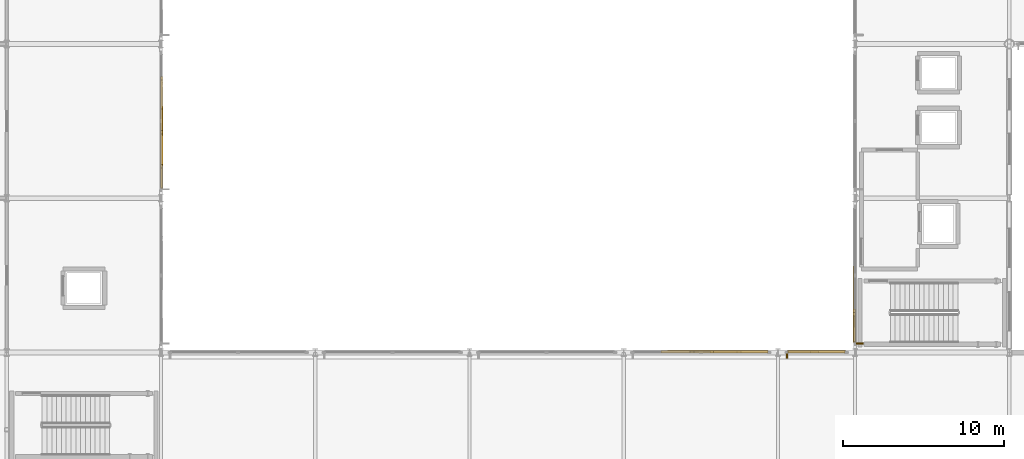
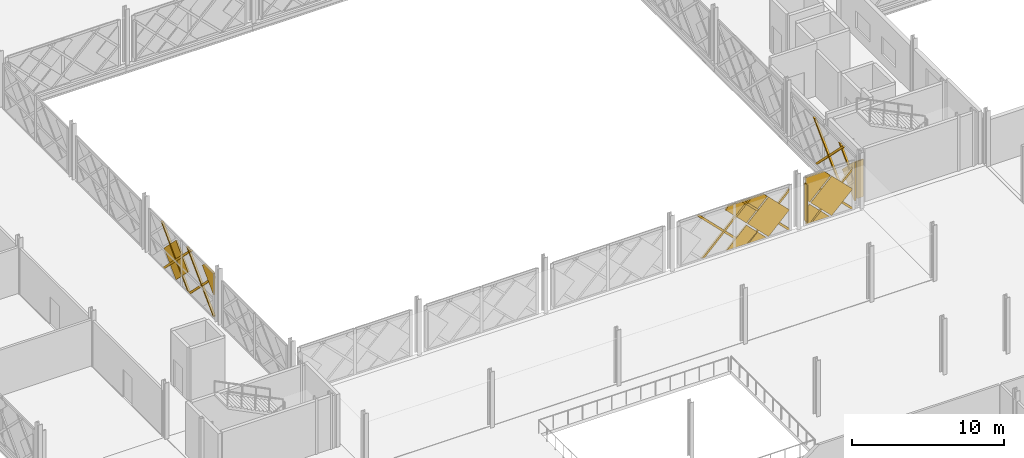
# One storey, part 84 of 101: 23 coverings, 2 shading devices.
"""IFC4 building model written with IfcOpenShell, lengths in metres."""

from ifc_helpers import new_model, si_unit, direction, frame, origin, origin_2d, place, context, subcontext, project, spatial, polyline, rectangle, outline, extrude, material, layer, layer_set, type_object, element, save


model = new_model("IFC4")

# Units and contexts
model_context = context("Model", 3, precision=1e-05, world=origin(), true_north=direction((0.0, 1.0)))
body_context = subcontext(model_context, "Body", "Model", "MODEL_VIEW")
ifc_project = project(units=[si_unit("LENGTHUNIT", "METRE"), si_unit("AREAUNIT", "SQUARE_METRE"), si_unit("VOLUMEUNIT", "CUBIC_METRE"), si_unit("PLANEANGLEUNIT", "RADIAN"), si_unit("MASSUNIT", "GRAM", prefix="KILO")], contexts=[model_context])

# Site, building, storey
site_placement = place(None, origin())
site = spatial("IfcSite", under=ifc_project, at=site_placement, CompositionType="ELEMENT")
building_placement = place(site_placement, origin())
building = spatial("IfcBuilding", under=site, at=building_placement, Name="Zevrakil Square Congress Hotel", CompositionType="ELEMENT")
storey_placement = place(building_placement, frame((0.0, 0.0, 5.39990234375)))
storey = spatial("IfcBuildingStorey", under=building, at=storey_placement, Name="L02", CompositionType="ELEMENT", Elevation=5.39990234375)

# Coverings
ifc_material_1 = material(Name="Architectural White Fibre-C GRC", Category="concrete")
ifc_layer_1 = layer(ifc_material_1, 0.06494140625)
ifc_layer_set_1 = layer_set([ifc_layer_1], Name="Architectural White Fibre-C GRC")
covering_type_1 = type_object("IfcCoveringType", Name="COV-DIA-WHITE", PredefinedType="CLADDING", material=ifc_layer_set_1)
covering_1_placement = place(storey_placement, frame((99.320068359375, 45.694091796875, 1.590087890625), z_axis=(0.0, 0.999999790873, 0.000646725815), x_axis=(-0.707106707249, 0.000457304257, -0.707106707249)))
element("IfcCovering", 1, at=covering_1_placement, inside=storey, type_object=covering_type_1, Name="L02 45-degree white GRC diamond facade cassette 1639", PredefinedType="CLADDING", context=body_context, shape_type="SweptSolid", body=[
    extrude(outline(polyline([(0.0, 0.0), (2.1354765131557993, 0.0), (4.465861884739297e-07, -2.1354765131557527), (0.0, 0.0)])), origin(), (0.0, 0.0, -1.0), 0.1201171875),
])
covering_2_placement = place(storey_placement, frame((101.0, 45.693115234375, 3.27001953125), z_axis=(-2.41659e-07, 0.999999856488, 0.000535746851), x_axis=(-0.70716100192, 0.000378630288, -0.707052454916)))
element("IfcCovering", 2, at=covering_2_placement, inside=storey, type_object=covering_type_1, Name="L02 45-degree white GRC diamond facade cassette 1640", PredefinedType="CLADDING", context=body_context, shape_type="SweptSolid", body=[
    extrude(outline(polyline([(0.0, 0.0), (2.248551442001582, 2.220446049250313e-16), (2.248379120041563, -2.2487239697677768), (0.01381109549741355, -2.248552500098768), (-0.0003437632191625184, -2.2343954703555884), (0.0, 0.0)])), origin(), (0.0, 0.0, -1.0), 0.1201171875),
])
covering_3_placement = place(storey_placement, frame((97.72998046875, 45.693115234375, 3.360107421875), z_axis=(0.0, 0.999999832179, 0.000579346068), x_axis=(0.707106746172, 0.000409659554, -0.707106697534)))
element("IfcCovering", 3, at=covering_3_placement, inside=storey, type_object=covering_type_1, Name="L02 45-degree white GRC diamond facade cassette 1642", PredefinedType="CLADDING", context=body_context, shape_type="SweptSolid", body=[
    extrude(outline(polyline([(0.0, 0.0), (2.2487239716392238, 0.0), (2.2485511154520332, -2.2485513381391633), (1.9022482605456785, -2.2485513919470725), (0.00017254537865349362, -0.34647548840639664), (0.0, 0.0)])), origin(), (0.0, 0.0, -1.0), 0.1201171875),
])
covering_4_placement = place(storey_placement, frame((104.1201171875, 45.694091796875, 1.590087890625), z_axis=(-9.4647049e-05, 0.999999774054, 0.000665532792), x_axis=(-0.707106877007, 0.000403677122, -0.70710657014)))
element("IfcCovering", 4, at=covering_4_placement, inside=storey, type_object=covering_type_1, Name="L02 45-degree white GRC diamond facade cassette 1681", PredefinedType="CLADDING", context=body_context, shape_type="SweptSolid", body=[
    extrude(outline(polyline([(0.0, 0.0), (0.424333087534869, -5.551115123125783e-17), (1.2799048102692294, -0.8555719852040838), (0.0001725643582439762, -2.1353038728173726), (0.0, 0.0)])), origin(), (0.0, 0.0, -1.0), 0.1201171875),
])
covering_5_placement = place(storey_placement, frame((105.800048828125, 45.693115234375, 3.27001953125), z_axis=(-2.41678e-07, 0.999999856488, 0.000535746981), x_axis=(-0.70716100192, 0.000378630367, -0.707052454916)))
element("IfcCovering", 5, at=covering_5_placement, inside=storey, type_object=covering_type_1, Name="L02 45-degree white GRC diamond facade cassette 1682", PredefinedType="CLADDING", context=body_context, shape_type="SweptSolid", body=[
    extrude(outline(polyline([(0.0, 0.0), (2.2485514420015917, 0.0), (2.2483791200415766, -2.248723969767764), (0.013983742226420182, -2.248379879845779), (-0.00017111649015499886, -2.2342228501026002), (0.0, 0.0)])), origin(), (0.0, 0.0, -1.0), 0.1201171875),
])
covering_6_placement = place(storey_placement, frame((104.1201171875, 45.69384765625, 1.77001953125), z_axis=(-1.2527898e-05, 0.999999789695, 0.000648423833), x_axis=(0.707052460149, -0.00044968223, 0.707160955075)))
element("IfcCovering", 6, at=covering_6_placement, inside=storey, type_object=covering_type_1, Name="L02 45-degree white GRC diamond facade cassette 1683", PredefinedType="CLADDING", context=body_context, shape_type="SweptSolid", body=[
    extrude(outline(polyline([(0.0, 0.0), (2.2485513354353017, 2.220446049250313e-16), (2.248775720921128, -0.6717170549987591), (1.2482688705730505, -1.6723776320643222), (3.255377530142489e-05, -0.4243330745165601), (0.0, 0.0)])), origin(), (0.0, 0.0, -1.0), 0.1201171875),
])
covering_7_placement = place(storey_placement, frame((107.905029296875, 46.280029296875, 0.090087890625), z_axis=(-0.999999810877, 4.3898e-08, 0.000615017515), x_axis=(0.000434914137, 0.707106714509, 0.707106714115)))
element("IfcCovering", 7, at=covering_7_placement, inside=storey, type_object=covering_type_1, Name="L02 45-degree white GRC diamond facade cassette 1750", PredefinedType="CLADDING", context=body_context, shape_type="SweptSolid", body=[
    extrude(outline(polyline([(0.0, 0.0), (2.2487240723345248, 0.0), (2.2485518629543146, -2.248551438891992), (2.16378882664394, -2.2487240883742428), (-2.3641429092169375e-11, -0.08493566978779551), (0.0, 0.0)])), origin(), (0.0, 0.0, -1.0), 0.1201171875),
])
covering_8_placement = place(storey_placement, frame((64.89306640625, 60.760009765625, 3.27001953125), z_axis=(0.999999811377, 0.0, 0.000614203339), x_axis=(0.000434274042, 0.707161000837, -0.707052424012)))
element("IfcCovering", 8, at=covering_8_placement, inside=storey, type_object=covering_type_1, Name="L02 45-degree white GRC diamond facade cassette 1784", PredefinedType="CLADDING", context=body_context, shape_type="SweptSolid", body=[
    extrude(outline(polyline([(0.0, 0.0), (2.2485514454867683, 0.0), (2.2483792228863573, -2.248724065739994), (-0.0003448428211170196, -2.248551419043839), (0.0, 0.0)])), origin(), (0.0, 0.0, -1.0), 0.1201171875),
])
covering_9_placement = place(storey_placement, frame((64.89306640625, 57.31005859375, 3.360107421875), z_axis=(0.999999808822, -6.6855783e-05, 0.000614723742), x_axis=(0.000387401185, -0.707106741694, -0.707106714557)))
element("IfcCovering", 9, at=covering_9_placement, inside=storey, type_object=covering_type_1, Name="L02 45-degree white GRC diamond facade cassette 1785", PredefinedType="CLADDING", context=body_context, shape_type="SweptSolid", body=[
    extrude(outline(polyline([(0.0, 0.0), (2.1071645228764107, 0.0), (0.8873360085541673, -1.2198283755846069), (-8.820028063460938e-08, -0.332492183678786), (0.0, 0.0)])), origin(), (0.0, 0.0, -1.0), 0.1201171875),
])
ifc_material_2 = material(Name="Anodised Champagne Aluminium", Category="aluminium")
ifc_layer_2 = layer(ifc_material_2, 0.0849609375)
ifc_layer_set_2 = layer_set([ifc_layer_2], Name="Anodised Champagne Aluminium")
covering_type_2 = type_object("IfcCoveringType", Name="COV-DIAGRID-45", PredefinedType="MOLDING", material=ifc_layer_set_2)
covering_10_placement = place(storey_placement, frame((102.493896484375, 45.719970703125, 0.080078125), z_axis=(-0.000187311957, 0.999999884449, 0.000442737353), x_axis=(0.999999982457, 0.000187311939, 8.293e-08)))
element("IfcCovering", 10, at=covering_10_placement, inside=storey, type_object=covering_type_2, Name="L02 45-degree aluminium diagrid rib 1643", PredefinedType="MOLDING", context=body_context, shape_type="SweptSolid", body=[
    extrude(outline(polyline([(0.0, 0.0), (0.0861816391131254, 2.2812090330563966e-24), (0.08618164958060848, -0.12622069075433734), (-3.312744201763839, -3.524902971092284), (-3.5249024011669716, -3.524902971092284), (0.0, 0.0)])), origin(), (0.0, 0.0, -1.0), 0.14501953125),
])
covering_11_placement = place(storey_placement, frame((99.1337890625, 45.719970703125, 0.080078125), z_axis=(0.0, 0.999999805714, 0.000623354914), x_axis=(1.0, 0.0, 0.0)))
element("IfcCovering", 11, at=covering_11_placement, inside=storey, type_object=covering_type_2, Name="L02 45-degree aluminium diagrid rib 1644", PredefinedType="MOLDING", context=body_context, shape_type="SweptSolid", body=[
    extrude(outline(polyline([(0.0, 0.0), (0.21240234375, 0.0), (-3.312744140625, -3.524903028588229), (-3.52490234375, -3.524903028588229), (0.0, 0.0)])), origin(), (0.0, 0.0, -1.0), 0.14501953125),
])
covering_12_placement = place(storey_placement, frame((102.580078125, 45.718017578125, 3.154052734375), z_axis=(0.00030708991, 0.999999905696, 0.00030708991), x_axis=(-9.4304e-08, -0.000307089896, 0.999999952848)))
element("IfcCovering", 12, at=covering_12_placement, inside=storey, type_object=covering_type_2, Name="L02 45-degree aluminium diagrid rib 1646", PredefinedType="MOLDING", context=body_context, shape_type="SweptSolid", body=[
    extrude(outline(polyline([(0.0, 0.0), (0.2121581931212936, 0.0), (-3.0739747543193885, -3.2861332573369064), (-3.073974774326802, -3.0739750642156136), (0.0, 0.0)])), origin(), (0.0, 0.0, -1.0), 0.14501953125),
])
covering_13_placement = place(storey_placement, frame((99.671142578125, 45.7177734375, 3.60498046875), z_axis=(0.0, 0.999999805714, 0.000623354914), x_axis=(-1.0, 0.0, 0.0)))
element("IfcCovering", 13, at=covering_13_placement, inside=storey, type_object=covering_type_2, Name="L02 45-degree aluminium diagrid rib 1647", PredefinedType="MOLDING", context=body_context, shape_type="SweptSolid", body=[
    extrude(outline(polyline([(0.0, 0.0), (0.212158203125, 0.0), (3.7373046875, -3.5249030285882292), (3.525146484375, -3.5249030285882292), (0.0, 0.0)])), origin(), (0.0, 0.0, -1.0), 0.14501953125),
])
covering_14_placement = place(storey_placement, frame((107.2939453125, 45.719970703125, 0.080078125), z_axis=(0.000104053155, 0.999999756628, 0.000689867662), x_axis=(0.999999994586, -0.000104053131, -7.1783e-08)))
element("IfcCovering", 14, at=covering_14_placement, inside=storey, type_object=covering_type_2, Name="L02 45-degree aluminium diagrid rib 1684", PredefinedType="MOLDING", context=body_context, shape_type="SweptSolid", body=[
    extrude(outline(polyline([(0.0, 0.0), (0.08593749953477481, 1.137373342260413e-24), (0.08593749047428577, -0.1262206730896823), (-3.4738769702810175, -3.6860357949482765), (-3.473876980455281, -3.4738774738834497), (0.0, 0.0)])), origin(), (0.0, 0.0, -1.0), 0.14501953125),
])
covering_15_placement = place(storey_placement, frame((107.3798828125, 45.718017578125, 3.154052734375), z_axis=(0.000307101698, 0.999999905689, 0.000307101698), x_axis=(-9.4311e-08, -0.000307101684, 0.999999952844)))
element("IfcCovering", 15, at=covering_15_placement, inside=storey, type_object=covering_type_2, Name="L02 45-degree aluminium diagrid rib 1685", PredefinedType="MOLDING", context=body_context, shape_type="SweptSolid", body=[
    extrude(outline(polyline([(0.0, 0.0), (0.21215819312052556, 2.8078904387053947e-24), (-3.073974754330517, -3.285889116734547), (-3.073974774339466, -3.0737309236140224), (0.0, 0.0)])), origin(), (0.0, 0.0, -1.0), 0.14501953125),
])
covering_16_placement = place(storey_placement, frame((107.8798828125, 51.1337890625, 0.080078125), z_axis=(-0.999999804633, 0.0, 0.000625086695), x_axis=(0.0, 1.0, 0.0)))
element("IfcCovering", 16, at=covering_16_placement, inside=storey, type_object=covering_type_2, Name="L02 45-degree aluminium diagrid rib 1753", PredefinedType="MOLDING", context=body_context, shape_type="SweptSolid", body=[
    extrude(outline(polyline([(0.0, 0.0), (0.21240234375, 0.0), (-3.302734375, -3.515137405490821), (-3.514892578125, -3.515137405490821), (0.0, 0.0)])), origin(), (0.0, 0.0, -1.0), 0.14501953125),
])
covering_17_placement = place(storey_placement, frame((107.8798828125, 47.77392578125, 0.080078125), z_axis=(-0.999999864816, -0.000367674044, 0.000367674044), x_axis=(-0.000367674019, 0.999999932408, 1.35184e-07)))
element("IfcCovering", 17, at=covering_17_placement, inside=storey, type_object=covering_type_2, Name="L02 45-degree aluminium diagrid rib 1754", PredefinedType="MOLDING", context=body_context, shape_type="SweptSolid", body=[
    extrude(outline(polyline([(0.0, 0.0), (0.21215818878478077, 0.0), (-1.5539551831600997, -1.766113610695557), (-1.553955211840539, -1.553955421910778), (0.0, 0.0)])), origin(), (0.0, 0.0, -1.0), 0.14501953125),
])
covering_18_placement = place(storey_placement, frame((107.882080078125, 51.6611328125, 3.59521484375), z_axis=(-0.999999804633, 0.0, 0.000625086695), x_axis=(0.0, -1.0, 0.0)))
element("IfcCovering", 18, at=covering_18_placement, inside=storey, type_object=covering_type_2, Name="L02 45-degree aluminium diagrid rib 1756", PredefinedType="MOLDING", context=body_context, shape_type="SweptSolid", body=[
    extrude(outline(polyline([(0.0, 0.0), (0.212158203125, 0.0), (3.727294921875, -3.5151374054908215), (3.51513671875, -3.5151374054908215), (0.0, 0.0)])), origin(), (0.0, 0.0, -1.0), 0.14501953125),
])
covering_19_placement = place(storey_placement, frame((107.882080078125, 48.301025390625, 3.59521484375), z_axis=(-0.999999592163, -0.000296771115, 0.00085299482), x_axis=(0.000296771007, -0.999999955963, -2.53144e-07)))
element("IfcCovering", 19, at=covering_19_placement, inside=storey, type_object=covering_type_2, Name="L02 45-degree aluminium diagrid rib 1757", PredefinedType="MOLDING", context=body_context, shape_type="SweptSolid", body=[
    extrude(outline(polyline([(0.0, 0.0), (0.2121581937822851, 0.0), (2.081054779142469, -1.8688966374729137), (2.081054760457039, -2.081299112201601), (0.0, 0.0)])), origin(), (0.0, 0.0, -1.0), 0.14501953125),
])
covering_20_placement = place(storey_placement, frame((64.919921875, 55.906005859375, 0.080078125), z_axis=(0.99999988382, 0.000187951111, 0.000443884538), x_axis=(0.000187951092, -0.999999982337, 8.3429e-08)))
element("IfcCovering", 20, at=covering_20_placement, inside=storey, type_object=covering_type_2, Name="L02 45-degree aluminium diagrid rib 1787", PredefinedType="MOLDING", context=body_context, shape_type="SweptSolid", body=[
    extrude(outline(polyline([(0.0, 0.0), (0.08593749848210225, 1.137373342260413e-24), (0.085937509012518, -0.12622069069014652), (-3.302978577000679, -3.515137347782409), (-3.515136776378369, -3.515137347782409), (0.0, 0.0)])), origin(), (0.0, 0.0, -1.0), 0.14501953125),
])
covering_21_placement = place(storey_placement, frame((64.919921875, 59.26611328125, 0.080078125), z_axis=(0.999999804633, 0.0, 0.000625086695), x_axis=(0.0, -1.0, 0.0)))
element("IfcCovering", 21, at=covering_21_placement, inside=storey, type_object=covering_type_2, Name="L02 45-degree aluminium diagrid rib 1788", PredefinedType="MOLDING", context=body_context, shape_type="SweptSolid", body=[
    extrude(outline(polyline([(0.0, 0.0), (0.212158203125, 0.0), (-3.302734375, -3.5151374054908215), (-3.514892578125, -3.5151374054908215), (0.0, 0.0)])), origin(), (0.0, 0.0, -1.0), 0.14501953125),
])
covering_22_placement = place(storey_placement, frame((64.918212890625, 55.820068359375, 3.154052734375), z_axis=(0.999999586254, 0.000287317256, 0.000863099624), x_axis=(-0.000863099684, 8.2646e-08, 0.999999627529)))
element("IfcCovering", 22, at=covering_22_placement, inside=storey, type_object=covering_type_2, Name="L02 45-degree aluminium diagrid rib 1790", PredefinedType="MOLDING", context=body_context, shape_type="SweptSolid", body=[
    extrude(outline(polyline([(0.0, 0.0), (0.212158334820002, 0.0), (-3.0739746678474664, -3.286133202189314), (-3.0739746854017027, -3.07373086720635), (0.0, 0.0)])), origin(), (0.0, 0.0, -1.0), 0.14501953125),
])
covering_23_placement = place(storey_placement, frame((64.917724609375, 58.739013671875, 3.59521484375), z_axis=(0.999999804633, 0.0, 0.000625086695), x_axis=(0.0, 1.0, 0.0)))
element("IfcCovering", 23, at=covering_23_placement, inside=storey, type_object=covering_type_2, Name="L02 45-degree aluminium diagrid rib 1791", PredefinedType="MOLDING", context=body_context, shape_type="SweptSolid", body=[
    extrude(outline(polyline([(0.0, 0.0), (0.212158203125, 0.0), (3.72705078125, -3.5151374054908215), (3.514892578125, -3.5151374054908215), (0.0, 0.0)])), origin(), (0.0, 0.0, -1.0), 0.14501953125),
])

# Shading devices
ifc_material_3 = material(Name="Aluminium Anodised Bronze", Category="aluminium")
shading_device_type_1 = type_object("IfcShadingDeviceType", Name="SHD-FIN-35", PredefinedType="JALOUSIE", material=ifc_material_3)
shading_device_1_placement = place(storey_placement, frame((103.760009765625, 45.405029296875, 0.45751953125), z_axis=(0.0, 0.0, 1.0), x_axis=(0.0, -1.0, 0.0)))
element("IfcShadingDevice", 24, at=shading_device_1_placement, inside=storey, type_object=shading_device_type_1, Name="L02 aluminium solar shading fin 84", PredefinedType="JALOUSIE", context=body_context, shape_type="SweptSolid", body=[
    extrude(rectangle(XDim=0.35009765625, YDim=0.080078125, at=origin_2d()), origin(), (0.0, 0.0, 1.0), 3.0),
])
ifc_material_4 = material(Name="Aluminium Anodised Bronze", Category="aluminium")
shading_device_type_2 = type_object("IfcShadingDeviceType", Name="SHD-FIN-50", PredefinedType="JALOUSIE", material=ifc_material_4)
shading_device_2_placement = place(storey_placement, frame((108.27001953125, 46.159912109375, 0.337646484375), z_axis=(0.0, 0.0, 1.0), x_axis=(1.0, 0.0, 0.0)))
element("IfcShadingDevice", 25, at=shading_device_2_placement, inside=storey, type_object=shading_device_type_2, Name="L02 aluminium solar shading fin 92", PredefinedType="JALOUSIE", context=body_context, shape_type="SweptSolid", body=[
    extrude(rectangle(XDim=0.5, YDim=0.080078125, at=origin_2d()), origin(), (0.0, 0.0, 1.0), 3.0),
])

save(model, "model.ifc")
